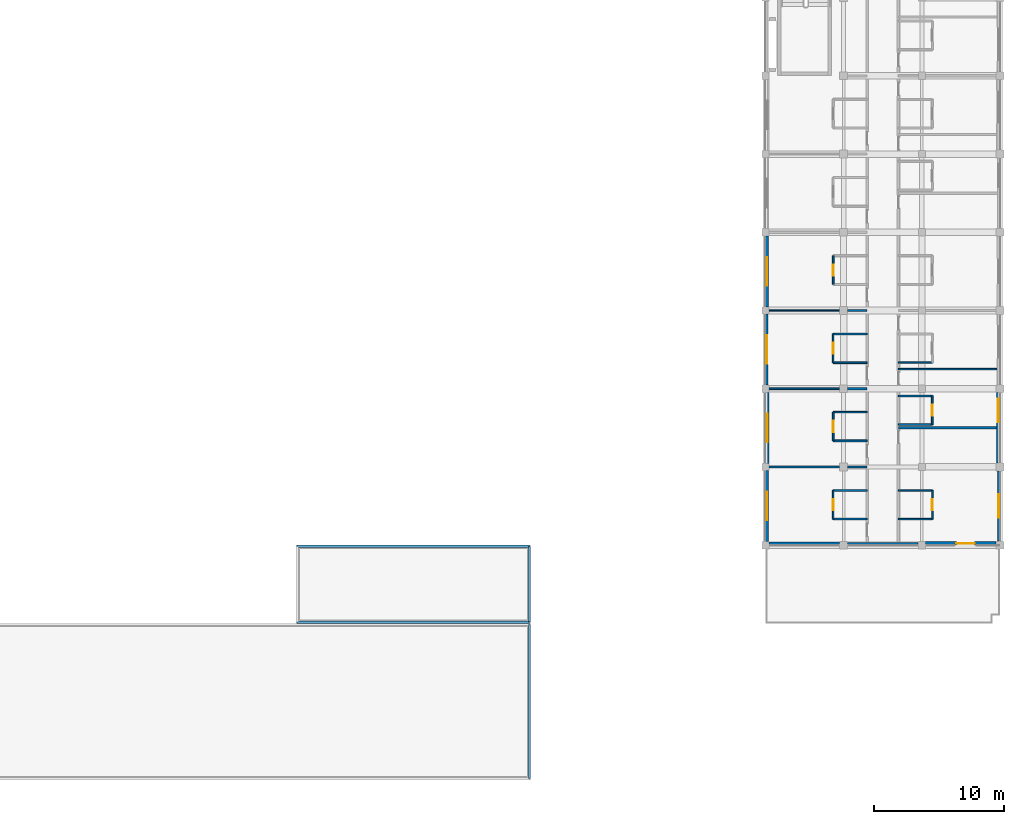
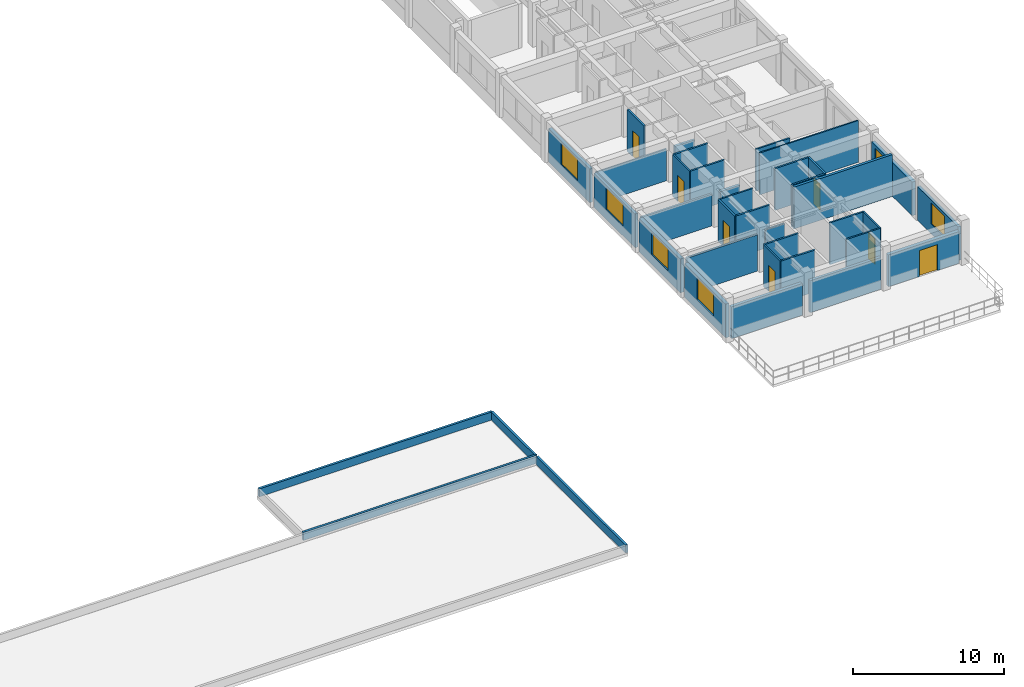
# One storey, part 12 of 25: 38 walls, 7 doors, 6 windows, 13 openings.
"""IFC4 building model written with IfcOpenShell, lengths in metres."""

import ifcopenshell
import ifcopenshell.guid

model = None  # the IFC model being written
_history = None  # IfcOwnerHistory: only IFC2X3 demands one
_inside = {}  # id of a spatial element -> (the spatial element, [elements in it])
_under = {}  # id of a project, library or spatial element -> (it, [spatial elements below it])
_declared = {}  # id of a project -> (the project, [libraries it declares])
_typed = {}  # id of a type object -> (the type object, [elements of that type])
_made_of = {}  # id of a material, layer set ... -> (it, [elements and type objects made of it])


def new_model(schema):
    """Start an empty IFC model of exactly this schema.

    Asked for "IFC4X3", IfcOpenShell would pick the latest addendum, in which some entities
    have other attributes; the version numbers below select the first issue.
    IFC2X3 requires an IfcOwnerHistory on every rooted entity: one is made here for all.
    """
    global model, _history
    if schema == "IFC4X3":
        model = ifcopenshell.file(schema_version=(4, 3, 0, 0))
    else:
        model = ifcopenshell.file(schema=schema)
    _inside.clear()
    _under.clear()
    _declared.clear()
    _typed.clear()
    _made_of.clear()
    _history = None
    if model.schema == "IFC2X3":
        org = make("IfcOrganization", Name="unknown")
        user = make(
            "IfcPersonAndOrganization",
            ThePerson=make("IfcPerson", FamilyName="unknown"),
            TheOrganization=org,
        )
        app = make(
            "IfcApplication",
            ApplicationDeveloper=org,
            Version="unknown",
            ApplicationFullName="unknown",
            ApplicationIdentifier="unknown",
        )
        _history = make(
            "IfcOwnerHistory",
            OwningUser=user,
            OwningApplication=app,
            ChangeAction="ADDED",
            CreationDate=0,
        )
    return model


def make(cls, **values):
    """One entity of the class cls with the attributes given. An attribute that is None is left unset."""
    return model.create_entity(
        cls, **{name: value for name, value in values.items() if value is not None}
    )


def rooted(cls, **values):
    """An entity with a GlobalId (a new one), such as an element, a storey or a relation."""
    return make(cls, GlobalId=ifcopenshell.guid.new(), OwnerHistory=_history, **values)


def si_unit(unit_type, name, prefix=None):
    """IfcSIUnit, for example si_unit("LENGTHUNIT", "METRE", prefix="MILLI")."""
    return make("IfcSIUnit", UnitType=unit_type, Prefix=prefix, Name=name)


def assignment(units):
    """IfcUnitAssignment: the units of a project."""
    return None if units is None else make("IfcUnitAssignment", Units=units)


def point(xyz):
    """IfcCartesianPoint."""
    return None if xyz is None else make("IfcCartesianPoint", Coordinates=xyz)


def direction(xyz):
    """IfcDirection."""
    return None if xyz is None else make("IfcDirection", DirectionRatios=xyz)


def frame(location, z_axis=None, x_axis=None):
    """IfcAxis2Placement3D, a coordinate frame: its origin and axes. An axis left out is left unset."""
    return make(
        "IfcAxis2Placement3D",
        Location=point(location),
        Axis=direction(z_axis),
        RefDirection=direction(x_axis),
    )


def frame_2d(location, x_axis=None):
    """IfcAxis2Placement2D, a coordinate frame in the plane: its origin and x axis."""
    return make(
        "IfcAxis2Placement2D", Location=point(location), RefDirection=direction(x_axis)
    )


def origin():
    """The frame at (0, 0, 0) with its axes left unset."""
    return frame((0.0, 0.0, 0.0))


def place(relative_to, where):
    """IfcLocalPlacement: puts the frame where relative to a parent placement (None: the world)."""
    return make(
        "IfcLocalPlacement", PlacementRelTo=relative_to, RelativePlacement=where
    )


def context(
    kind, dimensions, precision=None, world=None, true_north=None, identifier=None
):
    """IfcGeometricRepresentationContext, for example the 3D "Model" context."""
    return make(
        "IfcGeometricRepresentationContext",
        ContextIdentifier=identifier,
        ContextType=kind,
        CoordinateSpaceDimension=dimensions,
        Precision=precision,
        WorldCoordinateSystem=world,
        TrueNorth=true_north,
    )


def subcontext(parent, identifier, kind, view, scale=None):
    """IfcGeometricRepresentationSubContext, for example "Body" below "Model"."""
    return make(
        "IfcGeometricRepresentationSubContext",
        ContextIdentifier=identifier,
        ContextType=kind,
        ParentContext=parent,
        TargetScale=scale,
        TargetView=view,
    )


def project(units=None, contexts=None):
    """IfcProject with its units and contexts."""
    return rooted(
        "IfcProject",
        Name="project",
        RepresentationContexts=contexts,
        UnitsInContext=assignment(units),
    )


def spatial(cls, under=None, at=None, **own):
    """A site, building, storey or space (cls), placed at a placement, below another one or the project."""
    s = rooted(cls, ObjectPlacement=at, **own)
    if under is not None:
        _under.setdefault(under.id(), (under, []))[1].append(s)
    return s


def profile(cls, at=None, kind="AREA", **sizes):
    """A parametric profile (cls). Its sizes go by their IFC names, for example OverallWidth=200.0."""
    return make(cls, ProfileType=kind, Position=at, **sizes)


def rectangle(**sizes):
    """IfcRectangleProfileDef."""
    return profile("IfcRectangleProfileDef", **sizes)


def extrude(swept, where, along, depth):
    """IfcExtrudedAreaSolid: the profile swept, set in the frame where, extruded along a direction by depth."""
    return make(
        "IfcExtrudedAreaSolid",
        SweptArea=swept,
        Position=where,
        ExtrudedDirection=direction(along),
        Depth=depth,
    )


def shape(context_of_items, identifier, shape_type, items):
    """IfcShapeRepresentation: the items that make up one representation, for example the "Body"."""
    return make(
        "IfcShapeRepresentation",
        ContextOfItems=context_of_items,
        RepresentationIdentifier=identifier,
        RepresentationType=shape_type,
        Items=items,
    )


def material(Name=None, Category=None):
    """IfcMaterial."""
    return make("IfcMaterial", Name=Name, Category=Category)


def layer(
    of_material, thickness, ventilated=None, Name=None, Category=None, Priority=None
):
    """IfcMaterialLayer: one layer of a wall or slab, of a material (None: an air gap)."""
    return make(
        "IfcMaterialLayer",
        Material=of_material,
        LayerThickness=thickness,
        IsVentilated=ventilated,
        Name=Name,
        Category=Category,
        Priority=Priority,
    )


def layer_set(layers, Name=None):
    """IfcMaterialLayerSet."""
    return make("IfcMaterialLayerSet", MaterialLayers=layers, LayerSetName=Name)


def made_of(thing, what):
    """Note that an element or type object is made of a material, layer set ...; save() writes the relation."""
    if what is not None:
        _made_of.setdefault(what.id(), (what, []))[1].append(thing)
    return thing


def type_object(cls, material=None, **own):
    """A type object (cls), such as IfcWallType, which elements share."""
    return made_of(rooted(cls, **own), material)


def element(
    cls,
    number,
    at=None,
    inside=None,
    cuts=None,
    type_object=None,
    material=None,
    context=None,
    identifier="Body",
    shape_type=None,
    held_by="IfcProductDefinitionShape",
    body=None,
    shapes=None,
    **own,
):
    """One element of the class cls, such as IfcWall. Its Tag is "e" and its number.

    at: its placement. inside: the storey or other place that contains it. cuts: it is an
    opening in that element (IfcRelVoidsElement). A single representation is given by context,
    identifier, shape_type and body (its items); several are given by shapes. held_by: the class
    of the entity that holds the representations. save() writes the other relations.
    """
    e = rooted(cls, Tag="e%d" % number, ObjectPlacement=at, **own)
    if body is not None:
        shapes = [shape(context, identifier, shape_type, body)]
    if shapes is not None:
        e.Representation = make(held_by, Representations=shapes)
    if inside is not None:
        _inside.setdefault(inside.id(), (inside, []))[1].append(e)
    if cuts is not None:
        rooted(
            "IfcRelVoidsElement", RelatingBuildingElement=cuts, RelatedOpeningElement=e
        )
    if type_object is not None:
        _typed.setdefault(type_object.id(), (type_object, []))[1].append(e)
    return made_of(e, material)


def fill(opening, filler):
    """IfcRelFillsElement: the door or window that sits in an opening."""
    return rooted(
        "IfcRelFillsElement",
        RelatingOpeningElement=opening,
        RelatedBuildingElement=filler,
    )


def aggregate(whole, parts):
    """IfcRelAggregates: a whole, such as a stair, and the parts it consists of."""
    return rooted("IfcRelAggregates", RelatingObject=whole, RelatedObjects=parts)


def save(model, path):
    """Write the relations noted so far, then the file.

    IfcRelAggregates (storeys below a building ...), IfcRelContainedInSpatialStructure (elements
    in a storey), IfcRelDefinesByType, IfcRelAssociatesMaterial and IfcRelDeclares: one each for
    every whole, place, type object, material and project.
    """
    for whole, parts in _under.values():
        aggregate(whole, parts)
    for where, things in _inside.values():
        rooted(
            "IfcRelContainedInSpatialStructure",
            RelatedElements=things,
            RelatingStructure=where,
        )
    for kind, things in _typed.values():
        rooted("IfcRelDefinesByType", RelatedObjects=things, RelatingType=kind)
    for what, things in _made_of.values():
        rooted("IfcRelAssociatesMaterial", RelatedObjects=things, RelatingMaterial=what)
    for by, libraries in _declared.values():
        rooted("IfcRelDeclares", RelatingContext=by, RelatedDefinitions=libraries)
    model.write(path)


model = new_model("IFC4")

# Units and contexts
model_context = context("Model", 3, precision=1e-05, world=origin(), true_north=direction((0.0, 1.0)))
body_context = subcontext(model_context, "Body", "Model", "MODEL_VIEW")
ifc_project = project(units=[si_unit("LENGTHUNIT", "METRE"), si_unit("AREAUNIT", "SQUARE_METRE"), si_unit("VOLUMEUNIT", "CUBIC_METRE"), si_unit("PLANEANGLEUNIT", "RADIAN"), si_unit("MASSUNIT", "GRAM", prefix="KILO"), si_unit("THERMODYNAMICTEMPERATUREUNIT", "KELVIN"), si_unit("POWERUNIT", "WATT")], contexts=[model_context])

# Site, building, storey
site_placement = place(None, origin())
site = spatial("IfcSite", under=ifc_project, at=site_placement, CompositionType="ELEMENT")
building_placement = place(site_placement, origin())
building = spatial("IfcBuilding", under=site, at=building_placement, Name="Phaisarnlok Congress Hotel", CompositionType="ELEMENT")
storey_placement = place(building_placement, frame((0.0, 0.0, 24.60009765625)))
storey = spatial("IfcBuildingStorey", under=building, at=storey_placement, Name="L05", CompositionType="ELEMENT", Elevation=24.60009765625)

# Wall, opening, window
ifc_material_1 = material(Name="Concrete C40/50", Category="concrete")
ifc_layer_1 = layer(ifc_material_1, 0.2099609375, Name="Concrete C40/50")
ifc_layer_set_1 = layer_set([ifc_layer_1], Name="Concrete C40/50")
wall_type_1 = type_object("IfcWallType", Name="WL-EXT-210", PredefinedType="SOLIDWALL", material=ifc_layer_set_1)
wall_1_placement = place(storey_placement, frame((179.89501953125, 42.304931640625, 0.0), z_axis=(0.0, 0.0, 1.0), x_axis=(0.0, 1.0, 0.0)))
wall_1 = element("IfcWall", 1, at=wall_1_placement, inside=storey, type_object=wall_type_1, Name="Exterior wall EW-07 (L05)", PredefinedType="SOLIDWALL", context=body_context, shape_type="SweptSolid", body=[
    extrude(rectangle(XDim=5.39013671875, YDim=0.2099609375, at=frame_2d((2.695068359375, 0.0))), origin(), (0.0, 0.0, 1.0), 2.72998046875),
])
opening_1_placement = place(wall_1_placement, frame((1.794921875, 0.0, 0.800048828125)))
opening_1 = element("IfcOpeningElement", 2, at=opening_1_placement, cuts=wall_1, Name="Opening W-10", PredefinedType="OPENING", context=body_context, shape_type="SweptSolid", body=[
    extrude(rectangle(XDim=1.800048828125, YDim=1.699951171875, at=frame_2d((0.89990234375, 0.85009765625))), frame((0.0, 0.114990234375, 0.0), z_axis=(0.0, -1.0, 0.0), x_axis=(1.0, 0.0, 0.0)), (0.0, 0.0, 1.0), 0.22998046875),
])
ifc_material_2 = material(Name="Thermally Broken Aluminium & Low-E Double Glazing", Category="aluminium")
window_type_1 = type_object("IfcWindowType", Name="WIN-POD-1800", PartitioningType="SINGLE_PANEL", PredefinedType="WINDOW", material=ifc_material_2)
window_1_placement = place(opening_1_placement, origin())
window_1 = element("IfcWindow", 3, at=window_1_placement, inside=storey, type_object=window_type_1, Name="Guestroom window W-10 (L05)", OverallHeight=1.699951171875, OverallWidth=1.800048828125, PartitioningType="SINGLE_PANEL", PredefinedType="WINDOW", context=body_context, shape_type="SweptSolid", body=[
    extrude(rectangle(XDim=1.800048828125, YDim=1.699951171875, at=frame_2d((0.89990234375, 0.85009765625))), frame((0.0, 0.030029296875, 0.0), z_axis=(0.0, -1.0, 0.0), x_axis=(1.0, 0.0, 0.0)), (0.0, 0.0, 1.0), 0.06005859375),
])
fill(opening_1, window_1)

wall_2_placement = place(storey_placement, frame((162.10498046875, 59.719970703125, 0.0), z_axis=(0.0, 0.0, 1.0), x_axis=(0.0, -1.0, 0.0)))
wall_2 = element("IfcWall", 4, at=wall_2_placement, inside=storey, type_object=wall_type_1, Name="Exterior wall EW-07 (L05)", PredefinedType="SOLIDWALL", context=body_context, shape_type="SweptSolid", body=[
    extrude(rectangle(XDim=5.43994140625, YDim=0.2099609375, at=frame_2d((2.719970703125, 0.0))), origin(), (0.0, 0.0, 1.0), 2.72998046875),
])
opening_2_placement = place(wall_2_placement, frame((1.6201171875, 0.0, 0.800048828125)))
opening_2 = element("IfcOpeningElement", 5, at=opening_2_placement, cuts=wall_2, Name="Opening W-02", PredefinedType="OPENING", context=body_context, shape_type="SweptSolid", body=[
    extrude(rectangle(XDim=2.199951171875, YDim=1.75, at=frame_2d((1.10009765625, 0.875))), frame((0.0, 0.114990234375, 0.0), z_axis=(0.0, -1.0, 0.0), x_axis=(1.0, 0.0, 0.0)), (0.0, 0.0, 1.0), 0.22998046875),
])
window_type_2 = type_object("IfcWindowType", Name="WIN-HOTEL-2200", PartitioningType="SINGLE_PANEL", PredefinedType="WINDOW", material=ifc_material_2)
window_2_placement = place(opening_2_placement, origin())
window_2 = element("IfcWindow", 6, at=window_2_placement, inside=storey, type_object=window_type_2, Name="Guestroom window W-02 (L05)", OverallHeight=1.75, OverallWidth=2.199951171875, PartitioningType="SINGLE_PANEL", PredefinedType="WINDOW", context=body_context, shape_type="SweptSolid", body=[
    extrude(rectangle(XDim=2.199951171875, YDim=1.75, at=frame_2d((1.10009765625, 0.875))), frame((0.0, 0.030029296875, 0.0), z_axis=(0.0, -1.0, 0.0), x_axis=(1.0, 0.0, 0.0)), (0.0, 0.0, 1.0), 0.06005859375),
])
fill(opening_2, window_2)

# Wall
wall_3_placement = place(storey_placement, frame((168.304931640625, 42.10498046875, 0.0), z_axis=(0.0, 0.0, 1.0), x_axis=(1.0, 0.0, 0.0)))
element("IfcWall", 7, at=wall_3_placement, inside=storey, type_object=wall_type_1, Name="Exterior wall EW-07 (L05)", PredefinedType="SOLIDWALL", context=body_context, shape_type="SweptSolid", body=[
    extrude(rectangle(XDim=5.4150390625, YDim=0.2099609375, at=frame_2d((2.70751953125, 0.0))), origin(), (0.0, 0.0, 1.0), 2.579833984375),
])

# Wall, opening, window
ifc_layer_2 = layer(ifc_material_1, 0.22998046875, Name="Concrete C40/50")
ifc_layer_set_2 = layer_set([ifc_layer_2], Name="Concrete C40/50")
wall_type_2 = type_object("IfcWallType", Name="WL-EXT-230", PredefinedType="SOLIDWALL", material=ifc_layer_set_2)
wall_4_placement = place(storey_placement, frame((162.114990234375, 65.719970703125, 0.0), z_axis=(0.0, 0.0, 1.0), x_axis=(0.0, -1.0, 0.0)))
wall_4 = element("IfcWall", 8, at=wall_4_placement, inside=storey, type_object=wall_type_2, Name="Exterior wall EW-06 (L05)", PredefinedType="SOLIDWALL", context=body_context, shape_type="SweptSolid", body=[
    extrude(rectangle(XDim=5.43994140625, YDim=0.22998046875, at=frame_2d((2.719970703125, 0.0))), origin(), (0.0, 0.0, 1.0), 2.72998046875),
])
opening_3_placement = place(wall_4_placement, frame((1.6201171875, 0.0, 0.800048828125)))
opening_3 = element("IfcOpeningElement", 9, at=opening_3_placement, cuts=wall_4, Name="Opening W-02", PredefinedType="OPENING", context=body_context, shape_type="SweptSolid", body=[
    extrude(rectangle(XDim=2.199951171875, YDim=1.75, at=frame_2d((1.10009765625, 0.875))), frame((0.0, 0.125, 0.0), z_axis=(0.0, -1.0, 0.0), x_axis=(1.0, 0.0, 0.0)), (0.0, 0.0, 1.0), 0.25),
])
window_3_placement = place(opening_3_placement, origin())
window_3 = element("IfcWindow", 10, at=window_3_placement, inside=storey, type_object=window_type_2, Name="Guestroom window W-02 (L05)", OverallHeight=1.75, OverallWidth=2.199951171875, PartitioningType="SINGLE_PANEL", PredefinedType="WINDOW", context=body_context, shape_type="SweptSolid", body=[
    extrude(rectangle(XDim=2.199951171875, YDim=1.75, at=frame_2d((1.10009765625, 0.875))), frame((0.0, 0.030029296875, 0.0), z_axis=(0.0, -1.0, 0.0), x_axis=(1.0, 0.0, 0.0)), (0.0, 0.0, 1.0), 0.06005859375),
])
fill(opening_3, window_3)

# Wall
wall_5_placement = place(storey_placement, frame((162.280029296875, 42.114990234375, 0.0), z_axis=(0.0, 0.0, 1.0), x_axis=(1.0, 0.0, 0.0)))
element("IfcWall", 11, at=wall_5_placement, inside=storey, type_object=wall_type_2, Name="Exterior wall EW-06 (L05)", PredefinedType="SOLIDWALL", context=body_context, shape_type="SweptSolid", body=[
    extrude(rectangle(XDim=5.4150390625, YDim=0.22998046875, at=frame_2d((2.70751953125, 0.0))), origin(), (0.0, 0.0, 1.0), 2.579833984375),
])

# Wall, opening, window
ifc_layer_3 = layer(ifc_material_1, 0.25, Name="Concrete C40/50")
ifc_layer_set_3 = layer_set([ifc_layer_3], Name="Concrete C40/50")
wall_type_3 = type_object("IfcWallType", Name="WL-EXT-250", PredefinedType="SOLIDWALL", material=ifc_layer_set_3)
wall_6_placement = place(storey_placement, frame((162.125, 47.719970703125, 0.0), z_axis=(0.0, 0.0, 1.0), x_axis=(0.0, -1.0, 0.0)))
wall_6 = element("IfcWall", 12, at=wall_6_placement, inside=storey, type_object=wall_type_3, Name="Exterior wall EW-05 (L05)", PredefinedType="SOLIDWALL", context=body_context, shape_type="SweptSolid", body=[
    extrude(rectangle(XDim=5.43994140625, YDim=0.25, at=frame_2d((2.719970703125, 0.0))), origin(), (0.0, 0.0, 1.0), 2.72998046875),
])
opening_4_placement = place(wall_6_placement, frame((1.6201171875, 0.0, 0.800048828125)))
opening_4 = element("IfcOpeningElement", 13, at=opening_4_placement, cuts=wall_6, Name="Opening W-02", PredefinedType="OPENING", context=body_context, shape_type="SweptSolid", body=[
    extrude(rectangle(XDim=2.199951171875, YDim=1.75, at=frame_2d((1.10009765625, 0.875))), frame((0.0, 0.135009765625, 0.0), z_axis=(0.0, -1.0, 0.0), x_axis=(1.0, 0.0, 0.0)), (0.0, 0.0, 1.0), 0.27001953125),
])
window_4_placement = place(opening_4_placement, origin())
window_4 = element("IfcWindow", 14, at=window_4_placement, inside=storey, type_object=window_type_2, Name="Guestroom window W-02 (L05)", OverallHeight=1.75, OverallWidth=2.199951171875, PartitioningType="SINGLE_PANEL", PredefinedType="WINDOW", context=body_context, shape_type="SweptSolid", body=[
    extrude(rectangle(XDim=2.199951171875, YDim=1.75, at=frame_2d((1.10009765625, 0.875))), frame((0.0, 0.030029296875, 0.0), z_axis=(0.0, -1.0, 0.0), x_axis=(1.0, 0.0, 0.0)), (0.0, 0.0, 1.0), 0.06005859375),
])
fill(opening_4, window_4)

ifc_layer_4 = layer(ifc_material_1, 0.27001953125, Name="Concrete C40/50")
ifc_layer_set_4 = layer_set([ifc_layer_4], Name="Concrete C40/50")
wall_type_4 = type_object("IfcWallType", Name="WL-EXT-270", PredefinedType="SOLIDWALL", material=ifc_layer_set_4)
wall_7_placement = place(storey_placement, frame((179.864990234375, 48.304931640625, 0.0), z_axis=(0.0, 0.0, 1.0), x_axis=(0.0, 1.0, 0.0)))
wall_7 = element("IfcWall", 15, at=wall_7_placement, inside=storey, type_object=wall_type_4, Name="Exterior wall EW-04 (L05)", PredefinedType="SOLIDWALL", context=body_context, shape_type="SweptSolid", body=[
    extrude(rectangle(XDim=5.39013671875, YDim=0.27001953125, at=frame_2d((2.695068359375, 0.0))), origin(), (0.0, 0.0, 1.0), 2.72998046875),
])
opening_5_placement = place(wall_7_placement, frame((3.133056640625, 0.0, 0.800048828125)))
opening_5 = element("IfcOpeningElement", 16, at=opening_5_placement, cuts=wall_7, Name="Opening W-10", PredefinedType="OPENING", context=body_context, shape_type="SweptSolid", body=[
    extrude(rectangle(XDim=1.800048828125, YDim=1.699951171875, at=frame_2d((0.89990234375, 0.85009765625))), frame((0.0, 0.14501953125, 0.0), z_axis=(0.0, -1.0, 0.0), x_axis=(1.0, 0.0, 0.0)), (0.0, 0.0, 1.0), 0.2900390625),
])
window_5_placement = place(opening_5_placement, origin())
window_5 = element("IfcWindow", 17, at=window_5_placement, inside=storey, type_object=window_type_1, Name="Guestroom window W-10 (L05)", OverallHeight=1.699951171875, OverallWidth=1.800048828125, PartitioningType="SINGLE_PANEL", PredefinedType="WINDOW", context=body_context, shape_type="SweptSolid", body=[
    extrude(rectangle(XDim=1.800048828125, YDim=1.699951171875, at=frame_2d((0.89990234375, 0.85009765625))), frame((0.0, 0.030029296875, 0.0), z_axis=(0.0, -1.0, 0.0), x_axis=(1.0, 0.0, 0.0)), (0.0, 0.0, 1.0), 0.06005859375),
])
fill(opening_5, window_5)

wall_8_placement = place(storey_placement, frame((162.135009765625, 53.719970703125, 0.0), z_axis=(0.0, 0.0, 1.0), x_axis=(0.0, -1.0, 0.0)))
wall_8 = element("IfcWall", 18, at=wall_8_placement, inside=storey, type_object=wall_type_4, Name="Exterior wall EW-04 (L05)", PredefinedType="SOLIDWALL", context=body_context, shape_type="SweptSolid", body=[
    extrude(rectangle(XDim=5.43994140625, YDim=0.27001953125, at=frame_2d((2.719970703125, 0.0))), origin(), (0.0, 0.0, 1.0), 2.72998046875),
])
opening_6_placement = place(wall_8_placement, frame((1.6201171875, 0.0, 0.800048828125)))
opening_6 = element("IfcOpeningElement", 19, at=opening_6_placement, cuts=wall_8, Name="Opening W-02", PredefinedType="OPENING", context=body_context, shape_type="SweptSolid", body=[
    extrude(rectangle(XDim=2.199951171875, YDim=1.75, at=frame_2d((1.10009765625, 0.875))), frame((0.0, 0.14501953125, 0.0), z_axis=(0.0, -1.0, 0.0), x_axis=(1.0, 0.0, 0.0)), (0.0, 0.0, 1.0), 0.2900390625),
])
window_6_placement = place(opening_6_placement, origin())
window_6 = element("IfcWindow", 20, at=window_6_placement, inside=storey, type_object=window_type_2, Name="Guestroom window W-02 (L05)", OverallHeight=1.75, OverallWidth=2.199951171875, PartitioningType="SINGLE_PANEL", PredefinedType="WINDOW", context=body_context, shape_type="SweptSolid", body=[
    extrude(rectangle(XDim=2.199951171875, YDim=1.75, at=frame_2d((1.10009765625, 0.875))), frame((0.0, 0.030029296875, 0.0), z_axis=(0.0, -1.0, 0.0), x_axis=(1.0, 0.0, 0.0)), (0.0, 0.0, 1.0), 0.06005859375),
])
fill(opening_6, window_6)

# Wall, opening, door
wall_9_placement = place(storey_placement, frame((174.280029296875, 42.135009765625, 0.0), z_axis=(0.0, 0.0, 1.0), x_axis=(1.0, 0.0, 0.0)))
wall_9 = element("IfcWall", 21, at=wall_9_placement, inside=storey, type_object=wall_type_4, Name="Exterior wall EW-04 (L05)", PredefinedType="SOLIDWALL", context=body_context, shape_type="SweptSolid", body=[
    extrude(rectangle(XDim=5.4150390625, YDim=0.27001953125, at=frame_2d((2.70751953125, 0.0))), origin(), (0.0, 0.0, 1.0), 2.579833984375),
])
opening_7_placement = place(wall_9_placement, frame((2.366943359375, 0.0, 0.0)))
opening_7 = element("IfcOpeningElement", 22, at=opening_7_placement, cuts=wall_9, Name="Opening TD-08", PredefinedType="OPENING", context=body_context, shape_type="SweptSolid", body=[
    extrude(rectangle(XDim=1.39990234375, YDim=2.10009765625, at=frame_2d((0.699951171875, 1.050048828125))), frame((0.0, 0.14501953125, 0.0), z_axis=(0.0, -1.0, 0.0), x_axis=(1.0, 0.0, 0.0)), (0.0, 0.0, 1.0), 0.2900390625),
])
ifc_material_3 = material(Name="Powder-Coated Steel & Laminated Safety Glass", Category="steel")
door_type_1 = type_object("IfcDoorType", Name="DR-TER-1400", OperationType="NOTDEFINED", PredefinedType="DOOR", material=ifc_material_3)
door_1_placement = place(opening_7_placement, frame((1.39990234375, 0.0, 0.0), z_axis=(0.0, 0.0, 1.0), x_axis=(-1.0, 0.0, 0.0)))
door_1 = element("IfcDoor", 23, at=door_1_placement, inside=storey, type_object=door_type_1, Name="Outdoor terrace door TD-08 (L05)", OperationType="SINGLE_SWING_LEFT", OverallHeight=2.10009765625, OverallWidth=1.39990234375, PredefinedType="DOOR", context=body_context, shape_type="SweptSolid", body=[
    extrude(rectangle(XDim=1.39990234375, YDim=2.10009765625, at=frame_2d((0.699951171875, 1.050048828125))), frame((0.0, 0.02490234375, 0.0), z_axis=(0.0, -1.0, 0.0), x_axis=(1.0, 0.0, 0.0)), (0.0, 0.0, 1.0), 0.050048828125),
])
fill(opening_7, door_1)

# Walls
ifc_material_4 = material(Name="Service Riser Shaftwall Partition", Category="gypsum")
ifc_layer_5 = layer(ifc_material_4, 0.10498046875, Name="Service Riser Shaftwall Partition")
ifc_layer_set_5 = layer_set([ifc_layer_5], Name="Service Riser Shaftwall Partition")
wall_type_5 = type_object("IfcWallType", Name="WL-INT-105", PredefinedType="PARTITIONING", material=ifc_layer_set_5)
wall_10_placement = place(storey_placement, frame((172.199951171875, 55.5, 0.0), z_axis=(0.0, 0.0, 1.0), x_axis=(1.0, 0.0, 0.0)))
element("IfcWall", 24, at=wall_10_placement, inside=storey, type_object=wall_type_5, Name="Interior partition wall IW-08 (L05)", PredefinedType="PARTITIONING", context=body_context, shape_type="SweptSolid", body=[
    extrude(rectangle(XDim=7.545166015625, YDim=0.10498046875, at=frame_2d((3.7724609375, 0.0))), origin(), (0.0, 0.0, 1.0), 3.3798828125),
])
wall_11_placement = place(storey_placement, frame((162.280029296875, 60.0, 0.0), z_axis=(0.0, 0.0, 1.0), x_axis=(1.0, 0.0, 0.0)))
element("IfcWall", 25, at=wall_11_placement, inside=storey, type_object=wall_type_5, Name="Interior partition wall IW-08 (L05)", PredefinedType="PARTITIONING", context=body_context, shape_type="SweptSolid", body=[
    extrude(rectangle(XDim=5.4150390625, YDim=0.10498046875, at=frame_2d((2.70751953125, 0.0))), origin(), (0.0, 0.0, 1.0), 2.579833984375),
])

# Wall, opening, door
ifc_material_5 = material(Name="Lightweight Metal-Stud Gypsum Partition", Category="gypsum")
ifc_layer_6 = layer(ifc_material_5, 0.1201171875, Name="Lightweight Metal-Stud Gypsum Partition")
ifc_layer_set_6 = layer_set([ifc_layer_6], Name="Lightweight Metal-Stud Gypsum Partition")
wall_type_6 = type_object("IfcWallType", Name="WL-INT-120", PredefinedType="PARTITIONING", material=ifc_layer_set_6)
wall_12_placement = place(storey_placement, frame((167.199951171875, 44.0, 0.0), z_axis=(0.0, 0.0, 1.0), x_axis=(0.0, 1.0, 0.0)))
wall_12 = element("IfcWall", 26, at=wall_12_placement, inside=storey, type_object=wall_type_6, Name="Interior partition wall IW-07 (L05)", PredefinedType="PARTITIONING", context=body_context, shape_type="SweptSolid", body=[
    extrude(rectangle(XDim=2.199951171875, YDim=0.1201171875, at=frame_2d((1.10009765625, 0.0))), origin(), (0.0, 0.0, 1.0), 3.3798828125),
])
opening_8_placement = place(wall_12_placement, frame((0.675048828125, 0.0, 0.0)))
opening_8 = element("IfcOpeningElement", 27, at=opening_8_placement, cuts=wall_12, Name="Opening D-0210", PredefinedType="OPENING", context=body_context, shape_type="SweptSolid", body=[
    extrude(rectangle(XDim=0.85009765625, YDim=2.10009765625, at=frame_2d((0.425048828125, 1.050048828125))), frame((0.0, 0.070068359375, 0.0), z_axis=(0.0, -1.0, 0.0), x_axis=(1.0, 0.0, 0.0)), (0.0, 0.0, 1.0), 0.14013671875),
])
ifc_material_6 = material(Name="Moisture-Resistant Lacquered Timber", Category="wood")
door_type_2 = type_object("IfcDoorType", Name="DR-BATH-850", OperationType="NOTDEFINED", PredefinedType="DOOR", material=ifc_material_6)
door_2_placement = place(opening_8_placement, origin())
door_2 = element("IfcDoor", 28, at=door_2_placement, inside=storey, type_object=door_type_2, Name="Interior door D-0210 (L05)", OperationType="SINGLE_SWING_RIGHT", OverallHeight=2.10009765625, OverallWidth=0.85009765625, PredefinedType="DOOR", context=body_context, shape_type="SweptSolid", body=[
    extrude(rectangle(XDim=0.85009765625, YDim=2.10009765625, at=frame_2d((0.425048828125, 1.050048828125))), frame((0.0, 0.02490234375, 0.0), z_axis=(0.0, -1.0, 0.0), x_axis=(1.0, 0.0, 0.0)), (0.0, 0.0, 1.0), 0.050048828125),
])
fill(opening_8, door_2)

wall_13_placement = place(storey_placement, frame((167.199951171875, 56.0, 0.0), z_axis=(0.0, 0.0, 1.0), x_axis=(0.0, 1.0, 0.0)))
wall_13 = element("IfcWall", 29, at=wall_13_placement, inside=storey, type_object=wall_type_6, Name="Interior partition wall IW-07 (L05)", PredefinedType="PARTITIONING", context=body_context, shape_type="SweptSolid", body=[
    extrude(rectangle(XDim=2.199951171875, YDim=0.1201171875, at=frame_2d((1.10009765625, 0.0))), origin(), (0.0, 0.0, 1.0), 3.3798828125),
])
opening_9_placement = place(wall_13_placement, frame((0.675048828125, 0.0, 0.0)))
opening_9 = element("IfcOpeningElement", 30, at=opening_9_placement, cuts=wall_13, Name="Opening D-0214", PredefinedType="OPENING", context=body_context, shape_type="SweptSolid", body=[
    extrude(rectangle(XDim=0.85009765625, YDim=2.10009765625, at=frame_2d((0.425048828125, 1.050048828125))), frame((0.0, 0.070068359375, 0.0), z_axis=(0.0, -1.0, 0.0), x_axis=(1.0, 0.0, 0.0)), (0.0, 0.0, 1.0), 0.14013671875),
])
door_3_placement = place(opening_9_placement, origin())
door_3 = element("IfcDoor", 31, at=door_3_placement, inside=storey, type_object=door_type_2, Name="Interior door D-0214 (L05)", OperationType="SINGLE_SWING_RIGHT", OverallHeight=2.10009765625, OverallWidth=0.85009765625, PredefinedType="DOOR", context=body_context, shape_type="SweptSolid", body=[
    extrude(rectangle(XDim=0.85009765625, YDim=2.10009765625, at=frame_2d((0.425048828125, 1.050048828125))), frame((0.0, 0.02490234375, 0.0), z_axis=(0.0, -1.0, 0.0), x_axis=(1.0, 0.0, 0.0)), (0.0, 0.0, 1.0), 0.050048828125),
])
fill(opening_9, door_3)

wall_14_placement = place(storey_placement, frame((174.800048828125, 44.0, 0.0), z_axis=(0.0, 0.0, 1.0), x_axis=(0.0, 1.0, 0.0)))
wall_14 = element("IfcWall", 32, at=wall_14_placement, inside=storey, type_object=wall_type_6, Name="Interior partition wall IW-07 (L05)", PredefinedType="PARTITIONING", context=body_context, shape_type="SweptSolid", body=[
    extrude(rectangle(XDim=2.199951171875, YDim=0.1201171875, at=frame_2d((1.10009765625, 0.0))), origin(), (0.0, 0.0, 1.0), 3.3798828125),
])
opening_10_placement = place(wall_14_placement, frame((0.675048828125, 0.0, 0.0)))
opening_10 = element("IfcOpeningElement", 33, at=opening_10_placement, cuts=wall_14, Name="Opening D-0187", PredefinedType="OPENING", context=body_context, shape_type="SweptSolid", body=[
    extrude(rectangle(XDim=0.85009765625, YDim=2.10009765625, at=frame_2d((0.425048828125, 1.050048828125))), frame((0.0, 0.070068359375, 0.0), z_axis=(0.0, -1.0, 0.0), x_axis=(1.0, 0.0, 0.0)), (0.0, 0.0, 1.0), 0.14013671875),
])
door_4_placement = place(opening_10_placement, origin())
door_4 = element("IfcDoor", 34, at=door_4_placement, inside=storey, type_object=door_type_2, Name="Interior door D-0187 (L05)", OperationType="SINGLE_SWING_LEFT", OverallHeight=2.10009765625, OverallWidth=0.85009765625, PredefinedType="DOOR", context=body_context, shape_type="SweptSolid", body=[
    extrude(rectangle(XDim=0.85009765625, YDim=2.10009765625, at=frame_2d((0.425048828125, 1.050048828125))), frame((0.0, 0.02490234375, 0.0), z_axis=(0.0, -1.0, 0.0), x_axis=(1.0, 0.0, 0.0)), (0.0, 0.0, 1.0), 0.050048828125),
])
fill(opening_10, door_4)

# Walls
for number, where, z_axis, x_axis, name in (
    (35, (172.199951171875, 44.0, 0.0), (0.0, 0.0, 1.0), (1.0, 0.0, 0.0), "Interior partition wall IW-07 (L05)"),
    (36, (172.199951171875, 46.199951171875, 0.0), (0.0, 0.0, 1.0), (1.0, 0.0, 0.0), "Interior partition wall IW-07 (L05)"),
    (37, (167.199951171875, 52.199951171875, 0.0), (0.0, 0.0, 1.0), (1.0, 0.0, 0.0), "Interior partition wall IW-07 (L05)"),
    (38, (172.199951171875, 56.0, 0.0), (0.0, 0.0, 1.0), (1.0, 0.0, 0.0), "Interior partition wall IW-07 (L05)"),
):
    element("IfcWall", number, at=place(storey_placement, frame(where, z_axis=z_axis, x_axis=x_axis)), inside=storey, type_object=wall_type_6, Name=name, PredefinedType="PARTITIONING", context=body_context, shape_type="SweptSolid", body=[
        extrude(rectangle(XDim=2.60009765625, YDim=0.1201171875, at=frame_2d((1.300048828125, 0.0))), origin(), (0.0, 0.0, 1.0), 3.3798828125),
    ])

# Wall, opening, door
ifc_material_7 = material(Name="Moisture-Resistant Gypsum Partition", Category="gypsum")
ifc_layer_7 = layer(ifc_material_7, 0.135009765625, Name="Moisture-Resistant Gypsum Partition")
ifc_layer_set_7 = layer_set([ifc_layer_7], Name="Moisture-Resistant Gypsum Partition")
wall_type_7 = type_object("IfcWallType", Name="WL-INT-135", PredefinedType="PARTITIONING", material=ifc_layer_set_7)
wall_15_placement = place(storey_placement, frame((167.199951171875, 50.0, 0.0), z_axis=(0.0, 0.0, 1.0), x_axis=(0.0, 1.0, 0.0)))
wall_15 = element("IfcWall", 39, at=wall_15_placement, inside=storey, type_object=wall_type_7, Name="Interior partition wall IW-06 (L05)", PredefinedType="PARTITIONING", context=body_context, shape_type="SweptSolid", body=[
    extrude(rectangle(XDim=2.199951171875, YDim=0.135009765625, at=frame_2d((1.10009765625, 0.0))), origin(), (0.0, 0.0, 1.0), 3.3798828125),
])
opening_11_placement = place(wall_15_placement, frame((0.675048828125, 0.0, 0.0)))
opening_11 = element("IfcOpeningElement", 40, at=opening_11_placement, cuts=wall_15, Name="Opening D-0212", PredefinedType="OPENING", context=body_context, shape_type="SweptSolid", body=[
    extrude(rectangle(XDim=0.85009765625, YDim=2.10009765625, at=frame_2d((0.425048828125, 1.050048828125))), frame((0.0, 0.07763671875, 0.0), z_axis=(0.0, -1.0, 0.0), x_axis=(1.0, 0.0, 0.0)), (0.0, 0.0, 1.0), 0.155029296875),
])
door_5_placement = place(opening_11_placement, origin())
door_5 = element("IfcDoor", 41, at=door_5_placement, inside=storey, type_object=door_type_2, Name="Interior door D-0212 (L05)", OperationType="SINGLE_SWING_RIGHT", OverallHeight=2.10009765625, OverallWidth=0.85009765625, PredefinedType="DOOR", context=body_context, shape_type="SweptSolid", body=[
    extrude(rectangle(XDim=0.85009765625, YDim=2.10009765625, at=frame_2d((0.425048828125, 1.050048828125))), frame((0.0, 0.02490234375, 0.0), z_axis=(0.0, -1.0, 0.0), x_axis=(1.0, 0.0, 0.0)), (0.0, 0.0, 1.0), 0.050048828125),
])
fill(opening_11, door_5)

wall_16_placement = place(storey_placement, frame((167.199951171875, 62.0, 0.0), z_axis=(0.0, 0.0, 1.0), x_axis=(0.0, 1.0, 0.0)))
wall_16 = element("IfcWall", 42, at=wall_16_placement, inside=storey, type_object=wall_type_7, Name="Interior partition wall IW-06 (L05)", PredefinedType="PARTITIONING", context=body_context, shape_type="SweptSolid", body=[
    extrude(rectangle(XDim=2.199951171875, YDim=0.135009765625, at=frame_2d((1.10009765625, 0.0))), origin(), (0.0, 0.0, 1.0), 3.3798828125),
])
opening_12_placement = place(wall_16_placement, frame((0.675048828125, 0.0, 0.0)))
opening_12 = element("IfcOpeningElement", 43, at=opening_12_placement, cuts=wall_16, Name="Opening D-0216", PredefinedType="OPENING", context=body_context, shape_type="SweptSolid", body=[
    extrude(rectangle(XDim=0.85009765625, YDim=2.10009765625, at=frame_2d((0.425048828125, 1.050048828125))), frame((0.0, 0.07763671875, 0.0), z_axis=(0.0, -1.0, 0.0), x_axis=(1.0, 0.0, 0.0)), (0.0, 0.0, 1.0), 0.155029296875),
])
door_6_placement = place(opening_12_placement, origin())
door_6 = element("IfcDoor", 44, at=door_6_placement, inside=storey, type_object=door_type_2, Name="Interior door D-0216 (L05)", OperationType="SINGLE_SWING_RIGHT", OverallHeight=2.10009765625, OverallWidth=0.85009765625, PredefinedType="DOOR", context=body_context, shape_type="SweptSolid", body=[
    extrude(rectangle(XDim=0.85009765625, YDim=2.10009765625, at=frame_2d((0.425048828125, 1.050048828125))), frame((0.0, 0.02490234375, 0.0), z_axis=(0.0, -1.0, 0.0), x_axis=(1.0, 0.0, 0.0)), (0.0, 0.0, 1.0), 0.050048828125),
])
fill(opening_12, door_6)

wall_17_placement = place(storey_placement, frame((174.800048828125, 51.25, 0.0), z_axis=(0.0, 0.0, 1.0), x_axis=(0.0, 1.0, 0.0)))
wall_17 = element("IfcWall", 45, at=wall_17_placement, inside=storey, type_object=wall_type_7, Name="Interior partition wall IW-06 (L05)", PredefinedType="PARTITIONING", context=body_context, shape_type="SweptSolid", body=[
    extrude(rectangle(XDim=2.199951171875, YDim=0.135009765625, at=frame_2d((1.10009765625, 0.0))), origin(), (0.0, 0.0, 1.0), 3.3798828125),
])
opening_13_placement = place(wall_17_placement, frame((0.675048828125, 0.0, 0.0)))
opening_13 = element("IfcOpeningElement", 46, at=opening_13_placement, cuts=wall_17, Name="Opening D-0189", PredefinedType="OPENING", context=body_context, shape_type="SweptSolid", body=[
    extrude(rectangle(XDim=0.85009765625, YDim=2.10009765625, at=frame_2d((0.425048828125, 1.050048828125))), frame((0.0, 0.07763671875, 0.0), z_axis=(0.0, -1.0, 0.0), x_axis=(1.0, 0.0, 0.0)), (0.0, 0.0, 1.0), 0.155029296875),
])
door_7_placement = place(opening_13_placement, origin())
door_7 = element("IfcDoor", 47, at=door_7_placement, inside=storey, type_object=door_type_2, Name="Interior door D-0189 (L05)", OperationType="SINGLE_SWING_LEFT", OverallHeight=2.10009765625, OverallWidth=0.85009765625, PredefinedType="DOOR", context=body_context, shape_type="SweptSolid", body=[
    extrude(rectangle(XDim=0.85009765625, YDim=2.10009765625, at=frame_2d((0.425048828125, 1.050048828125))), frame((0.0, 0.02490234375, 0.0), z_axis=(0.0, -1.0, 0.0), x_axis=(1.0, 0.0, 0.0)), (0.0, 0.0, 1.0), 0.050048828125),
])
fill(opening_13, door_7)

# Walls
for number, where, z_axis, x_axis, name in (
    (48, (167.199951171875, 44.0, 0.0), (0.0, 0.0, 1.0), (1.0, 0.0, 0.0), "Interior partition wall IW-06 (L05)"),
    (49, (167.199951171875, 46.199951171875, 0.0), (0.0, 0.0, 1.0), (1.0, 0.0, 0.0), "Interior partition wall IW-06 (L05)"),
    (50, (167.199951171875, 50.0, 0.0), (0.0, 0.0, 1.0), (1.0, 0.0, 0.0), "Interior partition wall IW-06 (L05)"),
    (51, (172.199951171875, 51.25, 0.0), (0.0, 0.0, 1.0), (1.0, 0.0, 0.0), "Interior partition wall IW-06 (L05)"),
    (52, (172.199951171875, 53.449951171875, 0.0), (0.0, 0.0, 1.0), (1.0, 0.0, 0.0), "Interior partition wall IW-06 (L05)"),
    (53, (167.199951171875, 56.0, 0.0), (0.0, 0.0, 1.0), (1.0, 0.0, 0.0), "Interior partition wall IW-06 (L05)"),
    (54, (167.199951171875, 58.199951171875, 0.0), (0.0, 0.0, 1.0), (1.0, 0.0, 0.0), "Interior partition wall IW-06 (L05)"),
):
    element("IfcWall", number, at=place(storey_placement, frame(where, z_axis=z_axis, x_axis=x_axis)), inside=storey, type_object=wall_type_7, Name=name, PredefinedType="PARTITIONING", context=body_context, shape_type="SweptSolid", body=[
        extrude(rectangle(XDim=2.60009765625, YDim=0.135009765625, at=frame_2d((1.300048828125, 0.0))), origin(), (0.0, 0.0, 1.0), 3.3798828125),
    ])
ifc_material_8 = material(Name="Acoustic Gypsum Board & Mineral Wool", Category="gypsum")
ifc_layer_8 = layer(ifc_material_8, 0.14990234375, Name="Acoustic Gypsum Board & Mineral Wool")
ifc_layer_set_8 = layer_set([ifc_layer_8], Name="Acoustic Gypsum Board & Mineral Wool")
wall_type_8 = type_object("IfcWallType", Name="WL-INT-150", PredefinedType="PARTITIONING", material=ifc_layer_set_8)
wall_18_placement = place(storey_placement, frame((162.280029296875, 54.0, 0.0), z_axis=(0.0, 0.0, 1.0), x_axis=(1.0, 0.0, 0.0)))
element("IfcWall", 55, at=wall_18_placement, inside=storey, type_object=wall_type_8, Name="Interior partition wall IW-05 (L05)", PredefinedType="PARTITIONING", context=body_context, shape_type="SweptSolid", body=[
    extrude(rectangle(XDim=5.4150390625, YDim=0.14990234375, at=frame_2d((2.70751953125, 0.0))), origin(), (0.0, 0.0, 1.0), 2.579833984375),
])
ifc_material_9 = material(Name="Double-Stud Acoustic Gypsum Partition", Category="gypsum")
ifc_layer_9 = layer(ifc_material_9, 0.159912109375, Name="Double-Stud Acoustic Gypsum Partition")
ifc_layer_set_9 = layer_set([ifc_layer_9], Name="Double-Stud Acoustic Gypsum Partition")
wall_type_9 = type_object("IfcWallType", Name="WL-INT-160", PredefinedType="PARTITIONING", material=ifc_layer_set_9)
wall_19_placement = place(storey_placement, frame((168.304931640625, 48.0, 0.0), z_axis=(0.0, 0.0, 1.0), x_axis=(1.0, 0.0, 0.0)))
element("IfcWall", 56, at=wall_19_placement, inside=storey, type_object=wall_type_9, Name="Interior partition wall IW-04 (L05)", PredefinedType="PARTITIONING", context=body_context, shape_type="SweptSolid", body=[
    extrude(rectangle(XDim=1.4951171875, YDim=0.159912109375, at=frame_2d((0.74755859375, 0.0))), origin(), (0.0, 0.0, 1.0), 3.08984375),
])
ifc_material_10 = material(Name="Autoclaved Aerated Concrete Block", Category="concrete")
ifc_layer_10 = layer(ifc_material_10, 0.179931640625, Name="Autoclaved Aerated Concrete Block")
ifc_layer_set_10 = layer_set([ifc_layer_10], Name="Autoclaved Aerated Concrete Block")
wall_type_10 = type_object("IfcWallType", Name="WL-INT-180", PredefinedType="PARTITIONING", material=ifc_layer_set_10)
wall_20_placement = place(storey_placement, frame((162.280029296875, 48.0, 0.0), z_axis=(0.0, 0.0, 1.0), x_axis=(1.0, 0.0, 0.0)))
element("IfcWall", 57, at=wall_20_placement, inside=storey, type_object=wall_type_10, Name="Interior partition wall IW-03 (L05)", PredefinedType="PARTITIONING", context=body_context, shape_type="SweptSolid", body=[
    extrude(rectangle(XDim=5.4150390625, YDim=0.179931640625, at=frame_2d((2.70751953125, 0.0))), origin(), (0.0, 0.0, 1.0), 2.929931640625),
])
wall_21_placement = place(storey_placement, frame((168.304931640625, 60.0, 0.0), z_axis=(0.0, 0.0, 1.0), x_axis=(1.0, 0.0, 0.0)))
element("IfcWall", 58, at=wall_21_placement, inside=storey, type_object=wall_type_10, Name="Interior partition wall IW-03 (L05)", PredefinedType="PARTITIONING", context=body_context, shape_type="SweptSolid", body=[
    extrude(rectangle(XDim=1.4951171875, YDim=0.179931640625, at=frame_2d((0.74755859375, 0.0))), origin(), (0.0, 0.0, 1.0), 2.579833984375),
])
ifc_layer_11 = layer(ifc_material_10, 0.199951171875, Name="Autoclaved Aerated Concrete Block")
ifc_layer_set_11 = layer_set([ifc_layer_11], Name="Autoclaved Aerated Concrete Block")
wall_type_11 = type_object("IfcWallType", Name="WL-INT-200", PredefinedType="PARTITIONING", material=ifc_layer_set_11)
wall_22_placement = place(storey_placement, frame((172.199951171875, 51.0, 0.0), z_axis=(0.0, 0.0, 1.0), x_axis=(1.0, 0.0, 0.0)))
element("IfcWall", 59, at=wall_22_placement, inside=storey, type_object=wall_type_11, Name="Interior partition wall IW-02 (L05)", PredefinedType="PARTITIONING", context=body_context, shape_type="SweptSolid", body=[
    extrude(rectangle(XDim=7.525146484375, YDim=0.199951171875, at=frame_2d((3.7626953125, 0.0))), origin(), (0.0, 0.0, 1.0), 3.3798828125),
])
wall_23_placement = place(storey_placement, frame((168.304931640625, 54.0, 0.0), z_axis=(0.0, 0.0, 1.0), x_axis=(1.0, 0.0, 0.0)))
element("IfcWall", 60, at=wall_23_placement, inside=storey, type_object=wall_type_11, Name="Interior partition wall IW-02 (L05)", PredefinedType="PARTITIONING", context=body_context, shape_type="SweptSolid", body=[
    extrude(rectangle(XDim=1.4951171875, YDim=0.199951171875, at=frame_2d((0.74755859375, 0.0))), origin(), (0.0, 0.0, 1.0), 2.579833984375),
])
ifc_layer_12 = layer(ifc_material_1, 0.169921875, Name="Concrete C40/50")
ifc_layer_set_12 = layer_set([ifc_layer_12], Name="Concrete C40/50")
wall_type_12 = type_object("IfcWallType", Name="WL-PAR-170", PredefinedType="PARAPET", material=ifc_layer_set_12)
wall_24_placement = place(storey_placement, frame((143.909912109375, 24.090087890625, 0.0), z_axis=(0.0, 0.0, 1.0), x_axis=(0.0, 1.0, 0.0)))
element("IfcWall", 61, at=wall_24_placement, inside=storey, type_object=wall_type_12, Name="Podium roof parapet WP-02 (L05)", PredefinedType="PARAPET", context=body_context, shape_type="SweptSolid", body=[
    extrude(rectangle(XDim=11.81982421875, YDim=0.169921875, at=frame_2d((5.909912109375, 0.0))), origin(), (0.0, 0.0, 1.0), 0.64990234375),
])
wall_25_placement = place(storey_placement, frame((143.909912109375, 36.090087890625, 0.0), z_axis=(0.0, 0.0, 1.0), x_axis=(0.0, 1.0, 0.0)))
element("IfcWall", 62, at=wall_25_placement, inside=storey, type_object=wall_type_12, Name="Podium roof parapet WP-02 (L05)", PredefinedType="PARAPET", context=body_context, shape_type="SweptSolid", body=[
    extrude(rectangle(XDim=5.81982421875, YDim=0.169921875, at=frame_2d((2.909912109375, 0.0))), origin(), (0.0, 0.0, 1.0), 0.64990234375),
])
for number, where, z_axis, x_axis, name in (
    (63, (143.909912109375, 41.909912109375, 0.0), (0.0, 0.0, 1.0), (-1.0, 0.0, 0.0), "Podium roof parapet WP-02 (L05)"),
    (64, (126.090087890625, 36.090087890625, 0.0), (0.0, 0.0, 1.0), (1.0, 0.0, 0.0), "Podium roof parapet WP-02 (L05)"),
):
    element("IfcWall", number, at=place(storey_placement, frame(where, z_axis=z_axis, x_axis=x_axis)), inside=storey, type_object=wall_type_12, Name=name, PredefinedType="PARAPET", context=body_context, shape_type="SweptSolid", body=[
        extrude(rectangle(XDim=17.81982421875, YDim=0.169921875, at=frame_2d((8.909912109375, 0.0))), origin(), (0.0, 0.0, 1.0), 0.64990234375),
    ])

save(model, "model.ifc")
